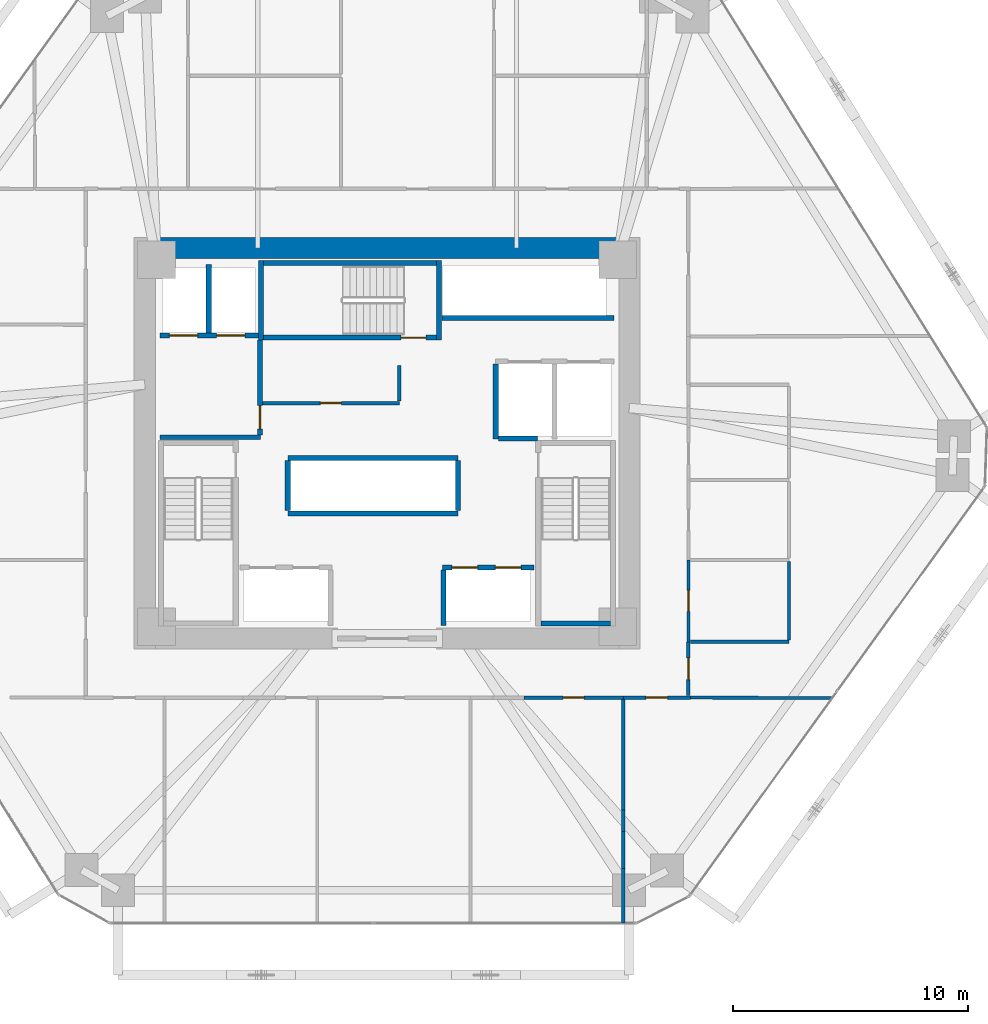
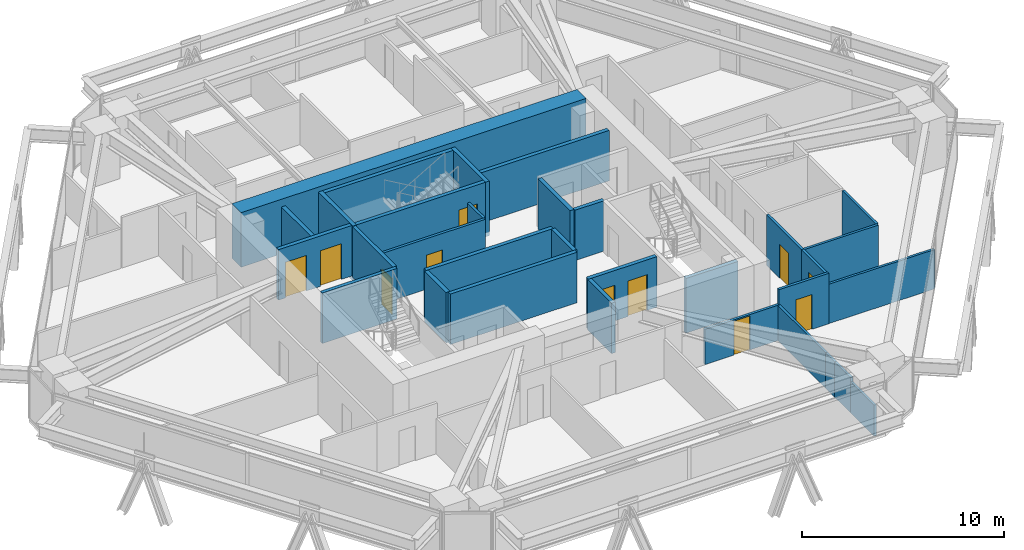
# One storey, part 14 of 17: 32 walls, 11 doors, 11 openings.
"""IFC4 building model written with IfcOpenShell, lengths in metres."""

from ifc_helpers import new_model, si_unit, direction, frame, frame_2d, origin, place, context, subcontext, project, spatial, rectangle, extrude, source, transform, mapped, material, layer, layer_set, type_object, type_shapes, element, fill, save


model = new_model("IFC4")

# Units and contexts
model_context = context("Model", 3, precision=1e-05, world=origin(), true_north=direction((0.0, 1.0)))
body_context = subcontext(model_context, "Body", "Model", "MODEL_VIEW")
ifc_project = project(units=[si_unit("LENGTHUNIT", "METRE"), si_unit("AREAUNIT", "SQUARE_METRE"), si_unit("VOLUMEUNIT", "CUBIC_METRE"), si_unit("PLANEANGLEUNIT", "RADIAN"), si_unit("MASSUNIT", "GRAM", prefix="KILO")], contexts=[model_context])

# Site, building, storey
site_placement = place(None, origin())
site = spatial("IfcSite", under=ifc_project, at=site_placement, CompositionType="ELEMENT")
building_placement = place(site_placement, origin())
building = spatial("IfcBuilding", under=site, at=building_placement, Name="Durnholm Broadcast Tower", CompositionType="ELEMENT")
storey_placement = place(building_placement, frame((0.0, 0.0, 45.60009765625)))
storey = spatial("IfcBuildingStorey", under=building, at=storey_placement, Name="L10", CompositionType="ELEMENT", Elevation=45.60009765625)

# Walls
ifc_material_1 = material(Name="Concrete C70/85", Category="concrete")
ifc_layer_1 = layer(ifc_material_1, 0.89990234375)
ifc_layer_set_1 = layer_set([ifc_layer_1], Name="Concrete C70/85")
wall_type_1 = type_object("IfcWallType", Name="WALL-CW-900", PredefinedType="SHEAR", material=ifc_layer_set_1)
wall_1_placement = place(storey_placement, frame((-9.85009765625, 8.300048828125, 0.0), z_axis=(0.0, 0.0, 1.0), x_axis=(1.0, 0.0, 0.0)))
element("IfcWall", 1, at=wall_1_placement, inside=storey, type_object=wall_type_1, Name="L10 central core shear wall CW-N", PredefinedType="SHEAR", context=body_context, shape_type="SweptSolid", body=[
    extrude(rectangle(XDim=19.7001953125, YDim=0.89990234375, at=frame_2d((9.85009765625, 0.0))), origin(), (0.0, 0.0, 1.0), 3.2998046875),
])
ifc_material_2 = material(Name="Fire-Rated Gypsum Shaftwall", Category="concrete")
ifc_layer_2 = layer(ifc_material_2, 0.199951171875)
ifc_layer_set_2 = layer_set([ifc_layer_2], Name="Fire-Rated Gypsum Shaftwall")
wall_type_2 = type_object("IfcWallType", Name="WALL-LOB-200", PredefinedType="SOLIDWALL", material=ifc_layer_set_2)
wall_2_placement = place(storey_placement, frame((-9.64990234375, 0.25, 0.0), z_axis=(0.0, 0.0, 1.0), x_axis=(1.0, 0.0, 0.0)))
element("IfcWall", 2, at=wall_2_placement, inside=storey, type_object=wall_type_2, Name="L10 Fire Service Access Elevator lobby south wall", PredefinedType="SOLIDWALL", context=body_context, shape_type="SweptSolid", body=[
    extrude(rectangle(XDim=4.27001953125, YDim=0.199951171875, at=frame_2d((2.135009765625, 0.0))), origin(), (0.0, 0.0, 1.0), 3.044921875),
])

# Wall, opening, door
wall_3_placement = place(storey_placement, frame((-5.39990234375, 0.35400390625, 0.0), z_axis=(0.0, 0.0, 1.0), x_axis=(0.0, 1.0, 0.0)))
wall_3 = element("IfcWall", 3, at=wall_3_placement, inside=storey, type_object=wall_type_2, Name="L10 Fire Service Access Elevator lobby east fire wall", PredefinedType="SOLIDWALL", context=body_context, shape_type="SweptSolid", body=[
    extrude(rectangle(XDim=4.02587890625, YDim=0.199951171875, at=frame_2d((2.012939453125, 0.0))), origin(), (0.0, 0.0, 1.0), 3.044921875),
])
opening_1_placement = place(wall_3_placement, frame((0.24609375, 0.0, 0.0)))
opening_1 = element("IfcOpeningElement", 4, at=opening_1_placement, cuts=wall_3, Name="Opening DL-60L", PredefinedType="OPENING", context=body_context, shape_type="SweptSolid", body=[
    extrude(rectangle(XDim=1.0, YDim=2.14990234375, at=frame_2d((0.5, 1.074951171875))), frame((0.0, 0.10986328125, 0.0), z_axis=(0.0, -1.0, 0.0), x_axis=(1.0, 0.0, 0.0)), (0.0, 0.0, 1.0), 0.219970703125),
])
ifc_material_3 = material(Name="Fire-Rated Timber/Steel Door", Category="steel")
ifc_layer_3 = layer(ifc_material_3, 0.050048828125)
ifc_layer_set_3 = layer_set([ifc_layer_3], Name="Fire-Rated Timber/Steel Door")
door_type_1 = type_object("IfcDoorType", Name="DOOR-LOB-FD60-L", OperationType="NOTDEFINED", PredefinedType="DOOR", material=ifc_layer_set_3)
shared_shape_1 = source(origin(), body_context, "Body", "SweptSolid", [
    extrude(rectangle(XDim=1.0, YDim=2.14990234375, at=frame_2d((0.5, 1.074951171875))), frame((0.0, 0.02490234375, 0.0), z_axis=(0.0, -1.0, 0.0), x_axis=(1.0, 0.0, 0.0)), (0.0, 0.0, 1.0), 0.050048828125),
])
type_shapes(door_type_1, [shared_shape_1])
door_1_placement = place(opening_1_placement, origin())
door_1 = element("IfcDoor", 5, at=door_1_placement, inside=storey, type_object=door_type_1, Name="L10 Fire Service Access Elevator lobby smoke door", OperationType="SINGLE_SWING_LEFT", OverallHeight=2.14990234375, OverallWidth=1.0, PredefinedType="DOOR", context=body_context, shape_type="MappedRepresentation", body=[
    mapped(shared_shape_1, transform((0.0, 0.0, 0.0), x_axis=(1.0, 0.0, 0.0), y_axis=(0.0, 1.0, 0.0), z_axis=(0.0, 0.0, 1.0), scale=1.0)),
])
fill(opening_1, door_1)

# Walls
ifc_material_4 = material(Name="Gypsum Metal Stud Partition", Category="concrete")
ifc_layer_4 = layer(ifc_material_4, 0.135009765625)
ifc_layer_set_4 = layer_set([ifc_layer_4], Name="Gypsum Metal Stud Partition")
wall_type_3 = type_object("IfcWallType", Name="WALL-PART-135", PredefinedType="PARTITIONING", material=ifc_layer_set_4)
wall_4_placement = place(storey_placement, frame((10.0400390625, -10.888916015625, 0.0), z_axis=(0.0, 0.0, 1.0), x_axis=(0.0, -1.0, 0.0)))
element("IfcWall", 6, at=wall_4_placement, inside=storey, type_object=wall_type_3, Name="L10 room dividing partition 16.17", PredefinedType="PARTITIONING", context=body_context, shape_type="SweptSolid", body=[
    extrude(rectangle(XDim=4.706787109375, YDim=0.135009765625, at=frame_2d((2.353515625, 0.0))), origin(), (0.0, 0.0, 1.0), 2.1298828125),
])
wall_5_placement = place(storey_placement, frame((10.0400390625, -16.508544921875, 0.0), z_axis=(0.0, 0.0, 1.0), x_axis=(0.0, -1.0, 0.0)))
element("IfcWall", 7, at=wall_5_placement, inside=storey, type_object=wall_type_3, Name="L10 room dividing partition 16.17", PredefinedType="PARTITIONING", context=body_context, shape_type="SweptSolid", body=[
    extrude(rectangle(XDim=1.57763671875, YDim=0.135009765625, at=frame_2d((0.788818359375, 0.0))), origin(), (0.0, 0.0, 1.0), 2.1298828125),
])
wall_6_placement = place(storey_placement, frame((10.0400390625, -15.595703125, 0.0), z_axis=(0.0, 0.0, 1.0), x_axis=(0.0, -1.0, 0.0)))
element("IfcWall", 8, at=wall_6_placement, inside=storey, type_object=wall_type_3, Name="L10 room dividing partition 16.17", PredefinedType="PARTITIONING", context=body_context, shape_type="SweptSolid", body=[
    extrude(rectangle(XDim=0.912841796875, YDim=0.135009765625, at=frame_2d((0.45654296875, 0.0))), origin(), (0.0, 0.0, 1.0), 2.1298828125),
])
wall_7_placement = place(storey_placement, frame((10.0400390625, -18.086181640625, 0.0), z_axis=(0.0, 0.0, 1.0), x_axis=(0.0, -1.0, 0.0)))
element("IfcWall", 9, at=wall_7_placement, inside=storey, type_object=wall_type_3, Name="L10 room dividing partition 16.17", PredefinedType="PARTITIONING", context=body_context, shape_type="SweptSolid", body=[
    extrude(rectangle(XDim=2.313720703125, YDim=0.135009765625, at=frame_2d((1.15673828125, 0.0))), origin(), (0.0, 0.0, 1.0), 1.876953125),
])
wall_8_placement = place(storey_placement, frame((12.889892578125, -10.810302734375, 0.0), z_axis=(0.0, 0.0, 1.0), x_axis=(0.999992607823, -0.003845035728, 0.0)))
element("IfcWall", 10, at=wall_8_placement, inside=storey, type_object=wall_type_3, Name="L10 room dividing partition 17.21", PredefinedType="PARTITIONING", context=body_context, shape_type="SweptSolid", body=[
    extrude(rectangle(XDim=6.031982421875, YDim=0.135009765625, at=frame_2d((3.01611328125, 0.0))), origin(), (0.0, 0.0, 1.0), 2.3798828125),
])

# Wall, opening, door
ifc_material_5 = material(Name="Acoustic Gypsum Stud Partition", Category="concrete")
ifc_layer_5 = layer(ifc_material_5, 0.14990234375)
ifc_layer_set_5 = layer_set([ifc_layer_5], Name="Acoustic Gypsum Stud Partition")
wall_type_4 = type_object("IfcWallType", Name="WALL-PART-150", PredefinedType="PARTITIONING", material=ifc_layer_set_5)
wall_9_placement = place(storey_placement, frame((0.52001953125, 1.7099609375, 0.0), z_axis=(0.0, 0.0, 1.0), x_axis=(-1.0, 0.0, 0.0)))
wall_9 = element("IfcWall", 11, at=wall_9_placement, inside=storey, type_object=wall_type_4, Name="L10 Core Housekeeping Room corridor partition", PredefinedType="PARTITIONING", context=body_context, shape_type="SweptSolid", body=[
    extrude(rectangle(XDim=5.81591796875, YDim=0.14990234375, at=frame_2d((2.907958984375, 0.0))), origin(), (0.0, 0.0, 1.0), 3.044921875),
])
opening_2_placement = place(wall_9_placement, frame((2.4580078125, 0.0, 0.0)))
opening_2 = element("IfcOpeningElement", 12, at=opening_2_placement, cuts=wall_9, Name="Opening DC-60R", PredefinedType="OPENING", context=body_context, shape_type="SweptSolid", body=[
    extrude(rectangle(XDim=0.89990234375, YDim=2.050048828125, at=frame_2d((0.449951171875, 1.02490234375))), frame((0.0, 0.0849609375, 0.0), z_axis=(0.0, -1.0, 0.0), x_axis=(1.0, 0.0, 0.0)), (0.0, 0.0, 1.0), 0.169921875),
])
ifc_material_6 = material(Name="Fire-Rated Core Service Door", Category="steel")
ifc_layer_6 = layer(ifc_material_6, 0.050048828125)
ifc_layer_set_6 = layer_set([ifc_layer_6], Name="Fire-Rated Core Service Door")
door_type_2 = type_object("IfcDoorType", Name="DOOR-CORE-FD60-R", OperationType="NOTDEFINED", PredefinedType="DOOR", material=ifc_layer_set_6)
shared_shape_2 = source(origin(), body_context, "Body", "SweptSolid", [
    extrude(rectangle(XDim=0.89990234375, YDim=2.050048828125, at=frame_2d((0.449951171875, 1.02490234375))), frame((0.0, 0.02490234375, 0.0), z_axis=(0.0, -1.0, 0.0), x_axis=(1.0, 0.0, 0.0)), (0.0, 0.0, 1.0), 0.050048828125),
])
type_shapes(door_type_2, [shared_shape_2])
door_2_placement = place(opening_2_placement, origin())
door_2 = element("IfcDoor", 13, at=door_2_placement, inside=storey, type_object=door_type_2, Name="L10 Core Housekeeping Room entrance door", OperationType="SINGLE_SWING_RIGHT", OverallHeight=2.050048828125, OverallWidth=0.89990234375, PredefinedType="DOOR", context=body_context, shape_type="MappedRepresentation", body=[
    mapped(shared_shape_2, transform((0.0, 0.0, 0.0), x_axis=(1.0, 0.0, 0.0), y_axis=(0.0, 1.0, 0.0), z_axis=(0.0, 0.0, 1.0), scale=1.0)),
])
fill(opening_2, door_2)

# Wall
wall_10_placement = place(storey_placement, frame((0.52001953125, 3.300048828125, 0.0), z_axis=(0.0, 0.0, 1.0), x_axis=(0.0, -1.0, 0.0)))
element("IfcWall", 14, at=wall_10_placement, inside=storey, type_object=wall_type_4, Name="L10 Core Housekeeping Room corridor partition", PredefinedType="PARTITIONING", context=body_context, shape_type="SweptSolid", body=[
    extrude(rectangle(XDim=1.510986328125, YDim=0.14990234375, at=frame_2d((0.75537109375, 0.0))), origin(), (0.0, 0.0, 1.0), 3.044921875),
])

# Wall, opening, door
wall_11_placement = place(storey_placement, frame((5.8173828125, -10.81005859375, 0.0), z_axis=(0.0, 0.0, 1.0), x_axis=(1.0, 0.0, 0.0)))
wall_11 = element("IfcWall", 15, at=wall_11_placement, inside=storey, type_object=wall_type_4, Name="L10 Video Edit Office 1 corridor partition", PredefinedType="PARTITIONING", context=body_context, shape_type="SweptSolid", body=[
    extrude(rectangle(XDim=4.22265625, YDim=0.14990234375, at=frame_2d((2.111328125, 0.0))), origin(), (0.0, 0.0, 1.0), 2.1298828125),
])
opening_3_placement = place(wall_11_placement, frame((1.661376953125, 0.0, 0.0)))
opening_3 = element("IfcOpeningElement", 16, at=opening_3_placement, cuts=wall_11, Name="Opening DW-90L", PredefinedType="OPENING", context=body_context, shape_type="SweptSolid", body=[
    extrude(rectangle(XDim=0.89990234375, YDim=2.050048828125, at=frame_2d((0.449951171875, 1.02490234375))), frame((0.0, 0.0849609375, 0.0), z_axis=(0.0, -1.0, 0.0), x_axis=(1.0, 0.0, 0.0)), (0.0, 0.0, 1.0), 0.169921875),
])
ifc_material_7 = material(Name="Laminate Restroom Door", Category="steel")
ifc_layer_7 = layer(ifc_material_7, 0.050048828125)
ifc_layer_set_7 = layer_set([ifc_layer_7], Name="Laminate Restroom Door")
door_type_3 = type_object("IfcDoorType", Name="DOOR-WC-900L", OperationType="NOTDEFINED", PredefinedType="DOOR", material=ifc_layer_set_7)
shared_shape_3 = source(origin(), body_context, "Body", "SweptSolid", [
    extrude(rectangle(XDim=0.89990234375, YDim=2.050048828125, at=frame_2d((0.449951171875, 1.02490234375))), frame((0.0, 0.02490234375, 0.0), z_axis=(0.0, -1.0, 0.0), x_axis=(1.0, 0.0, 0.0)), (0.0, 0.0, 1.0), 0.050048828125),
])
type_shapes(door_type_3, [shared_shape_3])
door_3_placement = place(opening_3_placement, origin())
door_3 = element("IfcDoor", 17, at=door_3_placement, inside=storey, type_object=door_type_3, Name="L10 Video Edit Office 1 entrance door", OperationType="SINGLE_SWING_LEFT", OverallHeight=2.050048828125, OverallWidth=0.89990234375, PredefinedType="DOOR", context=body_context, shape_type="MappedRepresentation", body=[
    mapped(shared_shape_3, transform((0.0, 0.0, 0.0), x_axis=(1.0, 0.0, 0.0), y_axis=(0.0, 1.0, 0.0), z_axis=(0.0, 0.0, 1.0), scale=1.0)),
])
fill(opening_3, door_3)

wall_12_placement = place(storey_placement, frame((10.0400390625, -10.81005859375, 0.0), z_axis=(0.0, 0.0, 1.0), x_axis=(1.0, 0.0, 0.0)))
wall_12 = element("IfcWall", 18, at=wall_12_placement, inside=storey, type_object=wall_type_4, Name="L10 Video Edit Office 2 corridor partition", PredefinedType="PARTITIONING", context=body_context, shape_type="SweptSolid", body=[
    extrude(rectangle(XDim=2.849853515625, YDim=0.14990234375, at=frame_2d((1.4248046875, 0.0))), origin(), (0.0, 0.0, 1.0), 3.044921875),
])
opening_4_placement = place(wall_12_placement, frame((0.965087890625, 0.0, 0.0)))
opening_4 = element("IfcOpeningElement", 19, at=opening_4_placement, cuts=wall_12, Name="Opening DR-92R", PredefinedType="OPENING", context=body_context, shape_type="SweptSolid", body=[
    extrude(rectangle(XDim=0.919921875, YDim=2.10009765625, at=frame_2d((0.4599609375, 1.050048828125))), frame((0.0, 0.0849609375, 0.0), z_axis=(0.0, -1.0, 0.0), x_axis=(1.0, 0.0, 0.0)), (0.0, 0.0, 1.0), 0.169921875),
])
ifc_material_8 = material(Name="Oak Veneer Office Door", Category="wood")
ifc_layer_8 = layer(ifc_material_8, 0.050048828125)
ifc_layer_set_8 = layer_set([ifc_layer_8], Name="Oak Veneer Office Door")
door_type_4 = type_object("IfcDoorType", Name="DOOR-RM-920R", OperationType="NOTDEFINED", PredefinedType="DOOR", material=ifc_layer_set_8)
shared_shape_4 = source(origin(), body_context, "Body", "SweptSolid", [
    extrude(rectangle(XDim=0.919921875, YDim=2.10009765625, at=frame_2d((0.4599609375, 1.050048828125))), frame((0.0, 0.02490234375, 0.0), z_axis=(0.0, -1.0, 0.0), x_axis=(1.0, 0.0, 0.0)), (0.0, 0.0, 1.0), 0.050048828125),
])
type_shapes(door_type_4, [shared_shape_4])
door_4_placement = place(opening_4_placement, origin())
door_4 = element("IfcDoor", 20, at=door_4_placement, inside=storey, type_object=door_type_4, Name="L10 Video Edit Office 2 entrance door", OperationType="SINGLE_SWING_RIGHT", OverallHeight=2.10009765625, OverallWidth=0.919921875, PredefinedType="DOOR", context=body_context, shape_type="MappedRepresentation", body=[
    mapped(shared_shape_4, transform((0.0, 0.0, 0.0), x_axis=(1.0, 0.0, 0.0), y_axis=(0.0, 1.0, 0.0), z_axis=(0.0, 0.0, 1.0), scale=1.0)),
])
fill(opening_4, door_4)

wall_13_placement = place(storey_placement, frame((12.81005859375, -10.73095703125, 0.0), z_axis=(0.0, 0.0, 1.0), x_axis=(0.0, 1.0, 0.0)))
wall_13 = element("IfcWall", 21, at=wall_13_placement, inside=storey, type_object=wall_type_4, Name="L10 Anchor Prep Office corridor partition", PredefinedType="PARTITIONING", context=body_context, shape_type="SweptSolid", body=[
    extrude(rectangle(XDim=2.291015625, YDim=0.14990234375, at=frame_2d((1.1455078125, 0.0))), origin(), (0.0, 0.0, 1.0), 3.044921875),
])
opening_5_placement = place(wall_13_placement, frame((0.685546875, 0.0, 0.0)))
opening_5 = element("IfcOpeningElement", 22, at=opening_5_placement, cuts=wall_13, Name="Opening DR-92R", PredefinedType="OPENING", context=body_context, shape_type="SweptSolid", body=[
    extrude(rectangle(XDim=0.919921875, YDim=2.10009765625, at=frame_2d((0.4599609375, 1.050048828125))), frame((0.0, 0.0849609375, 0.0), z_axis=(0.0, -1.0, 0.0), x_axis=(1.0, 0.0, 0.0)), (0.0, 0.0, 1.0), 0.169921875),
])
door_5_placement = place(opening_5_placement, origin())
door_5 = element("IfcDoor", 23, at=door_5_placement, inside=storey, type_object=door_type_4, Name="L10 Anchor Prep Office entrance door", OperationType="SINGLE_SWING_RIGHT", OverallHeight=2.10009765625, OverallWidth=0.919921875, PredefinedType="DOOR", context=body_context, shape_type="MappedRepresentation", body=[
    mapped(shared_shape_4, transform((0.0, 0.0, 0.0), x_axis=(1.0, 0.0, 0.0), y_axis=(0.0, 1.0, 0.0), z_axis=(0.0, 0.0, 1.0), scale=1.0)),
])
fill(opening_5, door_5)

# Wall, openings, doors
ifc_material_9 = material(Name="Concrete Blockwork C30/37", Category="masonry")
ifc_layer_9 = layer(ifc_material_9, 0.219970703125)
ifc_layer_set_9 = layer_set([ifc_layer_9], Name="Concrete Blockwork C30/37")
wall_type_5 = type_object("IfcWallType", Name="WALL-SHAFT-220", PredefinedType="SOLIDWALL", material=ifc_layer_set_9)
wall_14_placement = place(storey_placement, frame((-9.64990234375, 4.580078125, 0.0), z_axis=(0.0, 0.0, 1.0), x_axis=(1.0, 0.0, 0.0)))
wall_14 = element("IfcWall", 24, at=wall_14_placement, inside=storey, type_object=wall_type_5, Name="L10 FSAE hoistway front fire wall", PredefinedType="SOLIDWALL", context=body_context, shape_type="SweptSolid", body=[
    extrude(rectangle(XDim=4.1748046875, YDim=0.219970703125, at=frame_2d((2.08740234375, 0.0))), origin(), (0.0, 0.0, 1.0), 3.044921875),
])
opening_6_placement = place(wall_14_placement, frame((0.39990234375, 0.0, 0.0)))
opening_6 = element("IfcOpeningElement", 25, at=opening_6_placement, cuts=wall_14, Name="Opening LD-FSAE-2", PredefinedType="OPENING", context=body_context, shape_type="SweptSolid", body=[
    extrude(rectangle(XDim=1.199951171875, YDim=2.14990234375, at=frame_2d((0.60009765625, 1.074951171875))), frame((0.0, 0.1201171875, 0.0), z_axis=(0.0, -1.0, 0.0), x_axis=(1.0, 0.0, 0.0)), (0.0, 0.0, 1.0), 0.239990234375),
])
opening_7_placement = place(wall_14_placement, frame((2.39990234375, 0.0, 0.0)))
opening_7 = element("IfcOpeningElement", 26, at=opening_7_placement, cuts=wall_14, Name="Opening LD-FSAE-1", PredefinedType="OPENING", context=body_context, shape_type="SweptSolid", body=[
    extrude(rectangle(XDim=1.199951171875, YDim=2.14990234375, at=frame_2d((0.60009765625, 1.074951171875))), frame((0.0, 0.1201171875, 0.0), z_axis=(0.0, -1.0, 0.0), x_axis=(1.0, 0.0, 0.0)), (0.0, 0.0, 1.0), 0.239990234375),
])
ifc_material_10 = material(Name="Fire Service Access Sliding Landing Door", Category="steel")
ifc_layer_10 = layer(ifc_material_10, 0.050048828125)
ifc_layer_set_10 = layer_set([ifc_layer_10], Name="Fire Service Access Sliding Landing Door")
door_type_5 = type_object("IfcDoorType", Name="DOOR-LIFT-FSAE", OperationType="DOUBLE_DOOR_SLIDING", PredefinedType="DOOR", material=ifc_layer_set_10)
shared_shape_5 = source(origin(), body_context, "Body", "SweptSolid", [
    extrude(rectangle(XDim=1.199951171875, YDim=2.14990234375, at=frame_2d((0.60009765625, 1.074951171875))), frame((0.0, 0.02490234375, 0.0), z_axis=(0.0, -1.0, 0.0), x_axis=(1.0, 0.0, 0.0)), (0.0, 0.0, 1.0), 0.050048828125),
])
type_shapes(door_type_5, [shared_shape_5])
door_6_placement = place(opening_6_placement, origin())
door_6 = element("IfcDoor", 27, at=door_6_placement, inside=storey, type_object=door_type_5, Name="L10 Fire Service Access Elevator FSAE-2 sliding landing door", OperationType="DOUBLE_DOOR_SLIDING", OverallHeight=2.14990234375, OverallWidth=1.199951171875, PredefinedType="DOOR", context=body_context, shape_type="MappedRepresentation", body=[
    mapped(shared_shape_5, transform((0.0, 0.0, 0.0), x_axis=(1.0, 0.0, 0.0), y_axis=(0.0, 1.0, 0.0), z_axis=(0.0, 0.0, 1.0), scale=1.0)),
])
fill(opening_6, door_6)
door_7_placement = place(opening_7_placement, origin())
door_7 = element("IfcDoor", 28, at=door_7_placement, inside=storey, type_object=door_type_5, Name="L10 Fire Service Access Elevator FSAE-1 sliding landing door", OperationType="DOUBLE_DOOR_SLIDING", OverallHeight=2.14990234375, OverallWidth=1.199951171875, PredefinedType="DOOR", context=body_context, shape_type="MappedRepresentation", body=[
    mapped(shared_shape_5, transform((0.0, 0.0, 0.0), x_axis=(1.0, 0.0, 0.0), y_axis=(0.0, 1.0, 0.0), z_axis=(0.0, 0.0, 1.0), scale=1.0)),
])
fill(opening_7, door_7)

# Walls
wall_15_placement = place(storey_placement, frame((-7.580078125, 4.694091796875, 0.0), z_axis=(0.0, 0.0, 1.0), x_axis=(0.0, 1.0, 0.0)))
element("IfcWall", 29, at=wall_15_placement, inside=storey, type_object=wall_type_5, Name="L10 FSAE shaft divider wall", PredefinedType="SOLIDWALL", context=body_context, shape_type="SweptSolid", body=[
    extrude(rectangle(XDim=2.906005859375, YDim=0.219970703125, at=frame_2d((1.453125, 0.0))), origin(), (0.0, 0.0, 1.0), 3.044921875),
])
wall_16_placement = place(storey_placement, frame((4.6201171875, 0.179931640625, 0.0), z_axis=(0.0, 0.0, 1.0), x_axis=(0.0, 1.0, 0.0)))
element("IfcWall", 30, at=wall_16_placement, inside=storey, type_object=wall_type_5, Name="L10 freight service lift SVL-2 west wall", PredefinedType="SOLIDWALL", context=body_context, shape_type="SweptSolid", body=[
    extrude(rectangle(XDim=3.18603515625, YDim=0.219970703125, at=frame_2d((1.593017578125, 0.0))), origin(), (0.0, 0.0, 1.0), 3.044921875),
])
wall_17_placement = place(storey_placement, frame((4.73388671875, 0.199951171875, 0.0), z_axis=(0.0, 0.0, 1.0), x_axis=(1.0, 0.0, 0.0)))
element("IfcWall", 31, at=wall_17_placement, inside=storey, type_object=wall_type_5, Name="L10 freight service lift SVL-2 south wall", PredefinedType="SOLIDWALL", context=body_context, shape_type="SweptSolid", body=[
    extrude(rectangle(XDim=1.666015625, YDim=0.219970703125, at=frame_2d((0.8330078125, 0.0))), origin(), (0.0, 0.0, 1.0), 3.044921875),
])

# Wall, openings, doors
wall_18_placement = place(storey_placement, frame((2.35009765625, -5.280029296875, 0.0), z_axis=(0.0, 0.0, 1.0), x_axis=(1.0, 0.0, 0.0)))
wall_18 = element("IfcWall", 32, at=wall_18_placement, inside=storey, type_object=wall_type_5, Name="L10 low-rise bank P1 east front wall", PredefinedType="SOLIDWALL", context=body_context, shape_type="SweptSolid", body=[
    extrude(rectangle(XDim=3.89990234375, YDim=0.219970703125, at=frame_2d((1.949951171875, 0.0))), origin(), (0.0, 0.0, 1.0), 3.044921875),
])
opening_8_placement = place(wall_18_placement, frame((0.39990234375, 0.0, 0.0)))
opening_8 = element("IfcOpeningElement", 33, at=opening_8_placement, cuts=wall_18, Name="Opening LD-LP1-3", PredefinedType="OPENING", context=body_context, shape_type="SweptSolid", body=[
    extrude(rectangle(XDim=1.10009765625, YDim=2.14990234375, at=frame_2d((0.550048828125, 1.074951171875))), frame((0.0, 0.1201171875, 0.0), z_axis=(0.0, -1.0, 0.0), x_axis=(1.0, 0.0, 0.0)), (0.0, 0.0, 1.0), 0.239990234375),
])
opening_9_placement = place(wall_18_placement, frame((2.25, 0.0, 0.0)))
opening_9 = element("IfcOpeningElement", 34, at=opening_9_placement, cuts=wall_18, Name="Opening LD-LP1-4", PredefinedType="OPENING", context=body_context, shape_type="SweptSolid", body=[
    extrude(rectangle(XDim=1.10009765625, YDim=2.14990234375, at=frame_2d((0.550048828125, 1.074951171875))), frame((0.0, 0.1201171875, 0.0), z_axis=(0.0, -1.0, 0.0), x_axis=(1.0, 0.0, 0.0)), (0.0, 0.0, 1.0), 0.239990234375),
])
ifc_material_11 = material(Name="Stainless Steel Sliding Elevator Landing Door", Category="steel")
ifc_layer_11 = layer(ifc_material_11, 0.050048828125)
ifc_layer_set_11 = layer_set([ifc_layer_11], Name="Stainless Steel Sliding Elevator Landing Door")
door_type_6 = type_object("IfcDoorType", Name="DOOR-LIFT-PAX", OperationType="DOUBLE_DOOR_SLIDING", PredefinedType="DOOR", material=ifc_layer_set_11)
shared_shape_6 = source(origin(), body_context, "Body", "SweptSolid", [
    extrude(rectangle(XDim=1.10009765625, YDim=2.14990234375, at=frame_2d((0.550048828125, 1.074951171875))), frame((0.0, 0.02490234375, 0.0), z_axis=(0.0, -1.0, 0.0), x_axis=(1.0, 0.0, 0.0)), (0.0, 0.0, 1.0), 0.050048828125),
])
type_shapes(door_type_6, [shared_shape_6])
door_8_placement = place(opening_8_placement, origin())
door_8 = element("IfcDoor", 35, at=door_8_placement, inside=storey, type_object=door_type_6, Name="L10 passenger elevator LP1-3 sliding landing door", OperationType="DOUBLE_DOOR_SLIDING", OverallHeight=2.14990234375, OverallWidth=1.10009765625, PredefinedType="DOOR", context=body_context, shape_type="MappedRepresentation", body=[
    mapped(shared_shape_6, transform((0.0, 0.0, 0.0), x_axis=(1.0, 0.0, 0.0), y_axis=(0.0, 1.0, 0.0), z_axis=(0.0, 0.0, 1.0), scale=1.0)),
])
fill(opening_8, door_8)
door_9_placement = place(opening_9_placement, origin())
door_9 = element("IfcDoor", 36, at=door_9_placement, inside=storey, type_object=door_type_6, Name="L10 passenger elevator LP1-4 sliding landing door", OperationType="DOUBLE_DOOR_SLIDING", OverallHeight=2.14990234375, OverallWidth=1.10009765625, PredefinedType="DOOR", context=body_context, shape_type="MappedRepresentation", body=[
    mapped(shared_shape_6, transform((0.0, 0.0, 0.0), x_axis=(1.0, 0.0, 0.0), y_axis=(0.0, 1.0, 0.0), z_axis=(0.0, 0.0, 1.0), scale=1.0)),
])
fill(opening_9, door_9)

# Walls
wall_19_placement = place(storey_placement, frame((2.39990234375, -7.75, 0.0), z_axis=(0.0, 0.0, 1.0), x_axis=(0.0, 1.0, 0.0)))
element("IfcWall", 37, at=wall_19_placement, inside=storey, type_object=wall_type_5, Name="L10 low-rise bank P1 east mouth wall", PredefinedType="SOLIDWALL", context=body_context, shape_type="SweptSolid", body=[
    extrude(rectangle(XDim=2.35595703125, YDim=0.219970703125, at=frame_2d((1.177978515625, 0.0))), origin(), (0.0, 0.0, 1.0), 3.044921875),
])
for number, where, z_axis, x_axis, name in (
    (38, (-4.219970703125, -2.97998046875, 0.0), (0.0, 0.0, 1.0), (1.0, 0.0, 0.0), "L10 mid-rise bank P2 south front wall"),
    (39, (-4.219970703125, -0.6201171875, 0.0), (0.0, 0.0, 1.0), (1.0, 0.0, 0.0), "L10 mid-rise bank P2 north shaft wall"),
):
    element("IfcWall", number, at=place(storey_placement, frame(where, z_axis=z_axis, x_axis=x_axis)), inside=storey, type_object=wall_type_5, Name=name, PredefinedType="SOLIDWALL", context=body_context, shape_type="SweptSolid", body=[
        extrude(rectangle(XDim=7.239990234375, YDim=0.219970703125, at=frame_2d((3.6201171875, 0.0))), origin(), (0.0, 0.0, 1.0), 3.044921875),
    ])
for number, where, z_axis, x_axis, name in (
    (40, (-4.219970703125, -2.865966796875, 0.0), (0.0, 0.0, 1.0), (0.0, 1.0, 0.0), "L10 mid-rise bank P2 west shaft wall"),
    (41, (3.02001953125, -2.865966796875, 0.0), (0.0, 0.0, 1.0), (0.0, 1.0, 0.0), "L10 mid-rise bank P2 east shaft wall"),
):
    element("IfcWall", number, at=place(storey_placement, frame(where, z_axis=z_axis, x_axis=x_axis)), inside=storey, type_object=wall_type_5, Name=name, PredefinedType="SOLIDWALL", context=body_context, shape_type="SweptSolid", body=[
        extrude(rectangle(XDim=2.132080078125, YDim=0.219970703125, at=frame_2d((1.06591796875, 0.0))), origin(), (0.0, 0.0, 1.0), 3.044921875),
    ])
wall_20_placement = place(storey_placement, frame((2.324951171875, 5.320068359375, 0.0), z_axis=(0.0, 0.0, 1.0), x_axis=(1.0, 0.0, 0.0)))
element("IfcWall", 42, at=wall_20_placement, inside=storey, type_object=wall_type_5, Name="L10 high-rise bank P3 south front wall", PredefinedType="SOLIDWALL", context=body_context, shape_type="SweptSolid", body=[
    extrude(rectangle(XDim=7.324951171875, YDim=0.219970703125, at=frame_2d((3.66259765625, 0.0))), origin(), (0.0, 0.0, 1.0), 3.044921875),
])
ifc_material_12 = material(Name="Concrete C50/60", Category="concrete")
ifc_layer_12 = layer(ifc_material_12, 0.219970703125)
ifc_layer_set_12 = layer_set([ifc_layer_12], Name="Concrete C50/60")
wall_type_6 = type_object("IfcWallType", Name="WALL-SW-220", PredefinedType="SHEAR", material=ifc_layer_set_12)
wall_21_placement = place(storey_placement, frame((6.5400390625, -7.659912109375, -0.239990234375), z_axis=(0.0, 0.0, 1.0), x_axis=(1.0, 0.0, 0.0)))
element("IfcWall", 43, at=wall_21_placement, inside=storey, type_object=wall_type_6, Name="L10 stair ST-2 structural shaft wall S", PredefinedType="SHEAR", context=body_context, shape_type="SweptSolid", body=[
    extrude(rectangle(XDim=2.9599609375, YDim=0.219970703125, at=frame_2d((1.47998046875, 0.0))), origin(), (0.0, 0.0, 1.0), 3.2998046875),
])
for number, where, z_axis, x_axis, name in (
    (44, (2.2099609375, 4.3798828125, -0.239990234375), (0.0, 0.0, 1.0), (0.0, 1.0, 0.0), "L10 stair ST-3 structural shaft wall E"),
    (45, (-5.360107421875, 7.780029296875, -0.239990234375), (0.0, 0.0, 1.0), (0.0, -1.0, 0.0), "L10 stair ST-3 structural shaft wall W"),
):
    element("IfcWall", number, at=place(storey_placement, frame(where, z_axis=z_axis, x_axis=x_axis)), inside=storey, type_object=wall_type_6, Name=name, PredefinedType="SHEAR", context=body_context, shape_type="SweptSolid", body=[
        extrude(rectangle(XDim=3.400146484375, YDim=0.219970703125, at=frame_2d((1.7001953125, 0.0))), origin(), (0.0, 0.0, 1.0), 3.2998046875),
    ])

# Wall, opening, door
wall_22_placement = place(storey_placement, frame((-5.25, 4.489990234375, -0.239990234375), z_axis=(0.0, 0.0, 1.0), x_axis=(1.0, 0.0, 0.0)))
wall_22 = element("IfcWall", 46, at=wall_22_placement, inside=storey, type_object=wall_type_6, Name="L10 stair ST-3 structural shaft wall S", PredefinedType="SHEAR", context=body_context, shape_type="SweptSolid", body=[
    extrude(rectangle(XDim=7.35009765625, YDim=0.219970703125, at=frame_2d((3.675048828125, 0.0))), origin(), (0.0, 0.0, 1.0), 3.2998046875),
])
opening_10_placement = place(wall_22_placement, frame((5.85009765625, 0.0, 0.0)))
opening_10 = element("IfcOpeningElement", 47, at=opening_10_placement, cuts=wall_22, Name="Opening DS-90L", PredefinedType="OPENING", context=body_context, shape_type="SweptSolid", body=[
    extrude(rectangle(XDim=1.050048828125, YDim=2.14990234375, at=frame_2d((0.52490234375, 1.074951171875))), frame((0.0, 0.1201171875, 0.0), z_axis=(0.0, -1.0, 0.0), x_axis=(1.0, 0.0, 0.0)), (0.0, 0.0, 1.0), 0.239990234375),
])
ifc_material_13 = material(Name="Fire-Rated Steel Door", Category="steel")
ifc_layer_13 = layer(ifc_material_13, 0.050048828125)
ifc_layer_set_13 = layer_set([ifc_layer_13], Name="Fire-Rated Steel Door")
door_type_7 = type_object("IfcDoorType", Name="DOOR-ST-FD90-L", OperationType="NOTDEFINED", PredefinedType="DOOR", material=ifc_layer_set_13)
shared_shape_7 = source(origin(), body_context, "Body", "SweptSolid", [
    extrude(rectangle(XDim=1.050048828125, YDim=2.14990234375, at=frame_2d((0.52490234375, 1.074951171875))), frame((0.0, 0.02490234375, 0.0), z_axis=(0.0, -1.0, 0.0), x_axis=(1.0, 0.0, 0.0)), (0.0, 0.0, 1.0), 0.050048828125),
])
type_shapes(door_type_7, [shared_shape_7])
door_10_placement = place(opening_10_placement, origin())
door_10 = element("IfcDoor", 48, at=door_10_placement, inside=storey, type_object=door_type_7, Name="L10 exit stair ST-3 fire door", OperationType="SINGLE_SWING_LEFT", OverallHeight=2.14990234375, OverallWidth=1.050048828125, PredefinedType="DOOR", context=body_context, shape_type="MappedRepresentation", body=[
    mapped(shared_shape_7, transform((0.0, 0.0, 0.0), x_axis=(1.0, 0.0, 0.0), y_axis=(0.0, 1.0, 0.0), z_axis=(0.0, 0.0, 1.0), scale=1.0)),
])
fill(opening_10, door_10)

# Wall
wall_23_placement = place(storey_placement, frame((2.10009765625, 7.669921875, -0.239990234375), z_axis=(0.0, 0.0, 1.0), x_axis=(-1.0, 0.0, 0.0)))
element("IfcWall", 49, at=wall_23_placement, inside=storey, type_object=wall_type_6, Name="L10 stair ST-3 structural shaft wall N", PredefinedType="SHEAR", context=body_context, shape_type="SweptSolid", body=[
    extrude(rectangle(XDim=7.35009765625, YDim=0.219970703125, at=frame_2d((3.675048828125, 0.0))), origin(), (0.0, 0.0, 1.0), 3.2998046875),
])

# Wall, opening, door
ifc_material_14 = material(Name="Moisture-Resistant Tile Partition", Category="concrete")
ifc_layer_14 = layer(ifc_material_14, 0.139892578125)
ifc_layer_set_14 = layer_set([ifc_layer_14], Name="Moisture-Resistant Tile Partition")
wall_type_7 = type_object("IfcWallType", Name="WALL-WC-140", PredefinedType="PARTITIONING", material=ifc_layer_set_14)
wall_24_placement = place(storey_placement, frame((12.81005859375, -8.43994140625, 0.0), z_axis=(0.0, 0.0, 1.0), x_axis=(0.0, 1.0, 0.0)))
wall_24 = element("IfcWall", 50, at=wall_24_placement, inside=storey, type_object=wall_type_7, Name="L10 Men's Restroom corridor partition", PredefinedType="PARTITIONING", context=body_context, shape_type="SweptSolid", body=[
    extrude(rectangle(XDim=3.47998046875, YDim=0.139892578125, at=frame_2d((1.739990234375, 0.0))), origin(), (0.0, 0.0, 1.0), 3.044921875),
])
opening_11_placement = place(wall_24_placement, frame((1.2900390625, 0.0, 0.0)))
opening_11 = element("IfcOpeningElement", 51, at=opening_11_placement, cuts=wall_24, Name="Opening DW-90L", PredefinedType="OPENING", context=body_context, shape_type="SweptSolid", body=[
    extrude(rectangle(XDim=0.89990234375, YDim=2.050048828125, at=frame_2d((0.449951171875, 1.02490234375))), frame((0.0, 0.080078125, 0.0), z_axis=(0.0, -1.0, 0.0), x_axis=(1.0, 0.0, 0.0)), (0.0, 0.0, 1.0), 0.159912109375),
])
door_11_placement = place(opening_11_placement, origin())
door_11 = element("IfcDoor", 52, at=door_11_placement, inside=storey, type_object=door_type_3, Name="L10 Men's Restroom entrance door", OperationType="SINGLE_SWING_LEFT", OverallHeight=2.050048828125, OverallWidth=0.89990234375, PredefinedType="DOOR", context=body_context, shape_type="MappedRepresentation", body=[
    mapped(shared_shape_3, transform((0.0, 0.0, 0.0), x_axis=(1.0, 0.0, 0.0), y_axis=(0.0, 1.0, 0.0), z_axis=(0.0, 0.0, 1.0), scale=1.0)),
])
fill(opening_11, door_11)

# Walls
wall_25_placement = place(storey_placement, frame((17.090087890625, -8.43994140625, 0.0), z_axis=(0.0, 0.0, 1.0), x_axis=(-1.0, 0.0, 0.0)))
element("IfcWall", 53, at=wall_25_placement, inside=storey, type_object=wall_type_7, Name="L10 room dividing partition 2.21", PredefinedType="PARTITIONING", context=body_context, shape_type="SweptSolid", body=[
    extrude(rectangle(XDim=4.201171875, YDim=0.139892578125, at=frame_2d((2.1005859375, 0.0))), origin(), (0.0, 0.0, 1.0), 3.044921875),
])
wall_26_placement = place(storey_placement, frame((17.090087890625, -5.033935546875, 0.0), z_axis=(0.0, 0.0, 1.0), x_axis=(0.0, -1.0, 0.0)))
element("IfcWall", 54, at=wall_26_placement, inside=storey, type_object=wall_type_7, Name="L10 room dividing partition 2.21", PredefinedType="PARTITIONING", context=body_context, shape_type="SweptSolid", body=[
    extrude(rectangle(XDim=3.33203125, YDim=0.139892578125, at=frame_2d((1.666015625, 0.0))), origin(), (0.0, 0.0, 1.0), 3.044921875),
])

save(model, "model.ifc")
